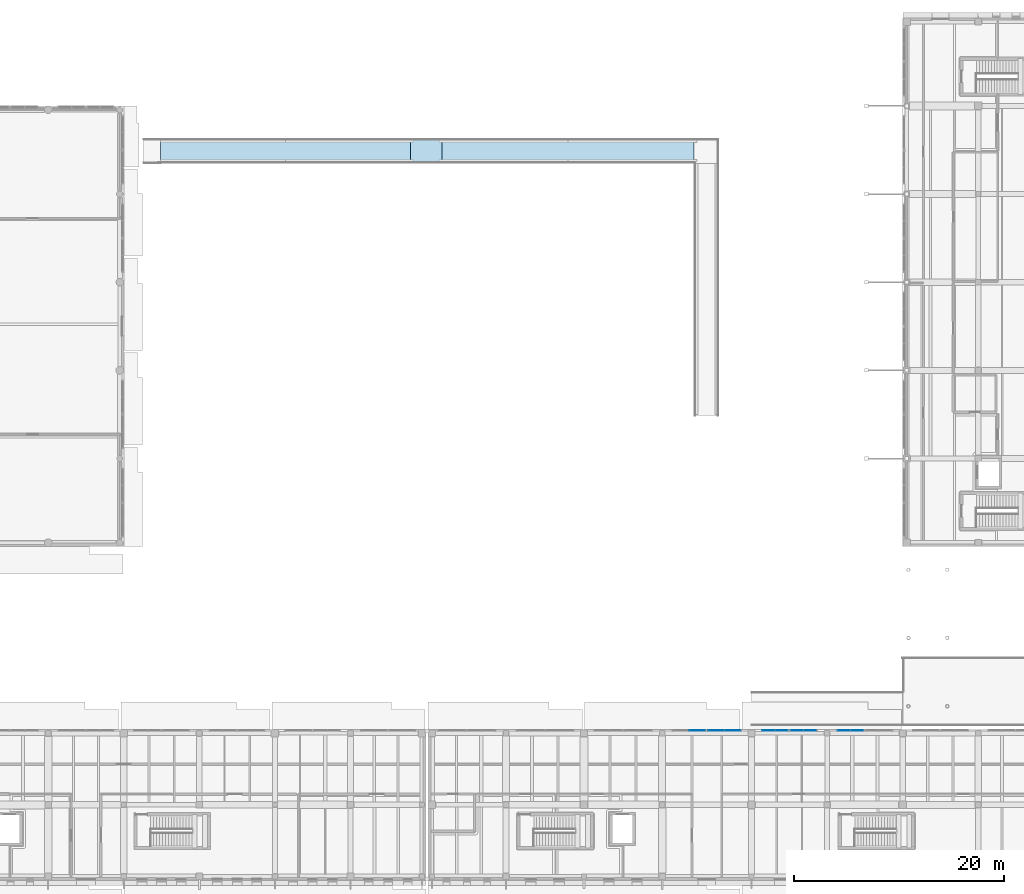
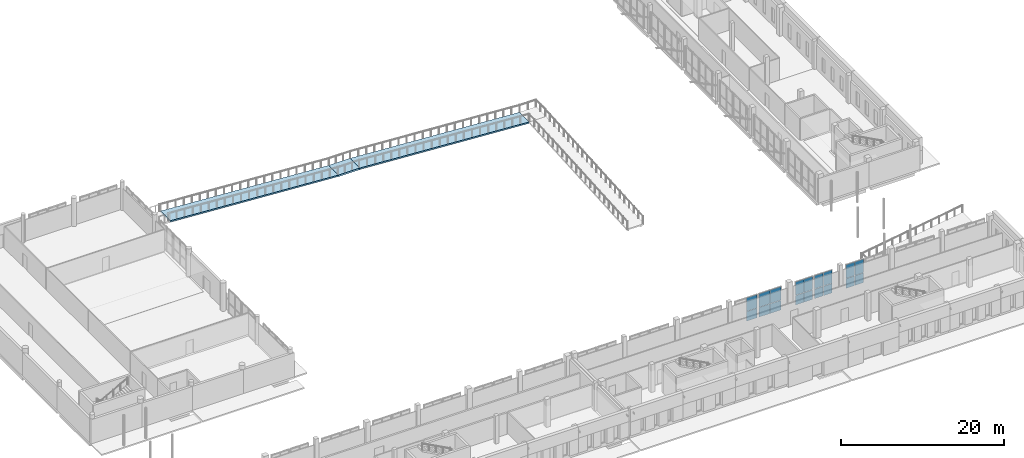
# One storey, part 44 of 77: 18 plates, 3 slabs, 5 elements without a shape of their own.
"""IFC4 building model written with IfcOpenShell, lengths in metres."""

import ifcopenshell
import ifcopenshell.guid

model = None  # the IFC model being written
_history = None  # IfcOwnerHistory: only IFC2X3 demands one
_inside = {}  # id of a spatial element -> (the spatial element, [elements in it])
_under = {}  # id of a project, library or spatial element -> (it, [spatial elements below it])
_declared = {}  # id of a project -> (the project, [libraries it declares])
_typed = {}  # id of a type object -> (the type object, [elements of that type])
_made_of = {}  # id of a material, layer set ... -> (it, [elements and type objects made of it])


def new_model(schema):
    """Start an empty IFC model of exactly this schema.

    Asked for "IFC4X3", IfcOpenShell would pick the latest addendum, in which some entities
    have other attributes; the version numbers below select the first issue.
    IFC2X3 requires an IfcOwnerHistory on every rooted entity: one is made here for all.
    """
    global model, _history
    if schema == "IFC4X3":
        model = ifcopenshell.file(schema_version=(4, 3, 0, 0))
    else:
        model = ifcopenshell.file(schema=schema)
    _inside.clear()
    _under.clear()
    _declared.clear()
    _typed.clear()
    _made_of.clear()
    _history = None
    if model.schema == "IFC2X3":
        org = make("IfcOrganization", Name="unknown")
        user = make(
            "IfcPersonAndOrganization",
            ThePerson=make("IfcPerson", FamilyName="unknown"),
            TheOrganization=org,
        )
        app = make(
            "IfcApplication",
            ApplicationDeveloper=org,
            Version="unknown",
            ApplicationFullName="unknown",
            ApplicationIdentifier="unknown",
        )
        _history = make(
            "IfcOwnerHistory",
            OwningUser=user,
            OwningApplication=app,
            ChangeAction="ADDED",
            CreationDate=0,
        )
    return model


def make(cls, **values):
    """One entity of the class cls with the attributes given. An attribute that is None is left unset."""
    return model.create_entity(
        cls, **{name: value for name, value in values.items() if value is not None}
    )


def rooted(cls, **values):
    """An entity with a GlobalId (a new one), such as an element, a storey or a relation."""
    return make(cls, GlobalId=ifcopenshell.guid.new(), OwnerHistory=_history, **values)


def si_unit(unit_type, name, prefix=None):
    """IfcSIUnit, for example si_unit("LENGTHUNIT", "METRE", prefix="MILLI")."""
    return make("IfcSIUnit", UnitType=unit_type, Prefix=prefix, Name=name)


def assignment(units):
    """IfcUnitAssignment: the units of a project."""
    return None if units is None else make("IfcUnitAssignment", Units=units)


def point(xyz):
    """IfcCartesianPoint."""
    return None if xyz is None else make("IfcCartesianPoint", Coordinates=xyz)


def direction(xyz):
    """IfcDirection."""
    return None if xyz is None else make("IfcDirection", DirectionRatios=xyz)


def frame(location, z_axis=None, x_axis=None):
    """IfcAxis2Placement3D, a coordinate frame: its origin and axes. An axis left out is left unset."""
    return make(
        "IfcAxis2Placement3D",
        Location=point(location),
        Axis=direction(z_axis),
        RefDirection=direction(x_axis),
    )


def frame_2d(location, x_axis=None):
    """IfcAxis2Placement2D, a coordinate frame in the plane: its origin and x axis."""
    return make(
        "IfcAxis2Placement2D", Location=point(location), RefDirection=direction(x_axis)
    )


def origin():
    """The frame at (0, 0, 0) with its axes left unset."""
    return frame((0.0, 0.0, 0.0))


def origin_2d():
    """The frame at (0, 0) in the plane with its x axis left unset."""
    return frame_2d((0.0, 0.0))


def place(relative_to, where):
    """IfcLocalPlacement: puts the frame where relative to a parent placement (None: the world)."""
    return make(
        "IfcLocalPlacement", PlacementRelTo=relative_to, RelativePlacement=where
    )


def context(
    kind, dimensions, precision=None, world=None, true_north=None, identifier=None
):
    """IfcGeometricRepresentationContext, for example the 3D "Model" context."""
    return make(
        "IfcGeometricRepresentationContext",
        ContextIdentifier=identifier,
        ContextType=kind,
        CoordinateSpaceDimension=dimensions,
        Precision=precision,
        WorldCoordinateSystem=world,
        TrueNorth=true_north,
    )


def subcontext(parent, identifier, kind, view, scale=None):
    """IfcGeometricRepresentationSubContext, for example "Body" below "Model"."""
    return make(
        "IfcGeometricRepresentationSubContext",
        ContextIdentifier=identifier,
        ContextType=kind,
        ParentContext=parent,
        TargetScale=scale,
        TargetView=view,
    )


def project(units=None, contexts=None):
    """IfcProject with its units and contexts."""
    return rooted(
        "IfcProject",
        Name="project",
        RepresentationContexts=contexts,
        UnitsInContext=assignment(units),
    )


def spatial(cls, under=None, at=None, **own):
    """A site, building, storey or space (cls), placed at a placement, below another one or the project."""
    s = rooted(cls, ObjectPlacement=at, **own)
    if under is not None:
        _under.setdefault(under.id(), (under, []))[1].append(s)
    return s


def polyline(points):
    """IfcPolyline through the points."""
    return make("IfcPolyline", Points=[point(p) for p in points])


def profile(cls, at=None, kind="AREA", **sizes):
    """A parametric profile (cls). Its sizes go by their IFC names, for example OverallWidth=200.0."""
    return make(cls, ProfileType=kind, Position=at, **sizes)


def rectangle(**sizes):
    """IfcRectangleProfileDef."""
    return profile("IfcRectangleProfileDef", **sizes)


def outline(outer, holes=None, kind="AREA"):
    """IfcArbitraryClosedProfileDef: a profile drawn as a closed curve; with holes, ...WithVoids."""
    if holes is None:
        return make("IfcArbitraryClosedProfileDef", ProfileType=kind, OuterCurve=outer)
    return make(
        "IfcArbitraryProfileDefWithVoids",
        ProfileType=kind,
        OuterCurve=outer,
        InnerCurves=holes,
    )


def extrude(swept, where, along, depth):
    """IfcExtrudedAreaSolid: the profile swept, set in the frame where, extruded along a direction by depth."""
    return make(
        "IfcExtrudedAreaSolid",
        SweptArea=swept,
        Position=where,
        ExtrudedDirection=direction(along),
        Depth=depth,
    )


def shape(context_of_items, identifier, shape_type, items):
    """IfcShapeRepresentation: the items that make up one representation, for example the "Body"."""
    return make(
        "IfcShapeRepresentation",
        ContextOfItems=context_of_items,
        RepresentationIdentifier=identifier,
        RepresentationType=shape_type,
        Items=items,
    )


def material(Name=None, Category=None):
    """IfcMaterial."""
    return make("IfcMaterial", Name=Name, Category=Category)


def layer(
    of_material, thickness, ventilated=None, Name=None, Category=None, Priority=None
):
    """IfcMaterialLayer: one layer of a wall or slab, of a material (None: an air gap)."""
    return make(
        "IfcMaterialLayer",
        Material=of_material,
        LayerThickness=thickness,
        IsVentilated=ventilated,
        Name=Name,
        Category=Category,
        Priority=Priority,
    )


def layer_set(layers, Name=None):
    """IfcMaterialLayerSet."""
    return make("IfcMaterialLayerSet", MaterialLayers=layers, LayerSetName=Name)


def made_of(thing, what):
    """Note that an element or type object is made of a material, layer set ...; save() writes the relation."""
    if what is not None:
        _made_of.setdefault(what.id(), (what, []))[1].append(thing)
    return thing


def type_object(cls, material=None, **own):
    """A type object (cls), such as IfcWallType, which elements share."""
    return made_of(rooted(cls, **own), material)


def element(
    cls,
    number,
    at=None,
    inside=None,
    cuts=None,
    type_object=None,
    material=None,
    context=None,
    identifier="Body",
    shape_type=None,
    held_by="IfcProductDefinitionShape",
    body=None,
    shapes=None,
    **own,
):
    """One element of the class cls, such as IfcWall. Its Tag is "e" and its number.

    at: its placement. inside: the storey or other place that contains it. cuts: it is an
    opening in that element (IfcRelVoidsElement). A single representation is given by context,
    identifier, shape_type and body (its items); several are given by shapes. held_by: the class
    of the entity that holds the representations. save() writes the other relations.
    """
    e = rooted(cls, Tag="e%d" % number, ObjectPlacement=at, **own)
    if body is not None:
        shapes = [shape(context, identifier, shape_type, body)]
    if shapes is not None:
        e.Representation = make(held_by, Representations=shapes)
    if inside is not None:
        _inside.setdefault(inside.id(), (inside, []))[1].append(e)
    if cuts is not None:
        rooted(
            "IfcRelVoidsElement", RelatingBuildingElement=cuts, RelatedOpeningElement=e
        )
    if type_object is not None:
        _typed.setdefault(type_object.id(), (type_object, []))[1].append(e)
    return made_of(e, material)


def aggregate(whole, parts):
    """IfcRelAggregates: a whole, such as a stair, and the parts it consists of."""
    return rooted("IfcRelAggregates", RelatingObject=whole, RelatedObjects=parts)


def save(model, path):
    """Write the relations noted so far, then the file.

    IfcRelAggregates (storeys below a building ...), IfcRelContainedInSpatialStructure (elements
    in a storey), IfcRelDefinesByType, IfcRelAssociatesMaterial and IfcRelDeclares: one each for
    every whole, place, type object, material and project.
    """
    for whole, parts in _under.values():
        aggregate(whole, parts)
    for where, things in _inside.values():
        rooted(
            "IfcRelContainedInSpatialStructure",
            RelatedElements=things,
            RelatingStructure=where,
        )
    for kind, things in _typed.values():
        rooted("IfcRelDefinesByType", RelatedObjects=things, RelatingType=kind)
    for what, things in _made_of.values():
        rooted("IfcRelAssociatesMaterial", RelatedObjects=things, RelatingMaterial=what)
    for by, libraries in _declared.values():
        rooted("IfcRelDeclares", RelatingContext=by, RelatedDefinitions=libraries)
    model.write(path)


model = new_model("IFC4")

# Units and contexts
model_context = context("Model", 3, precision=1e-05, world=origin(), true_north=direction((0.0, 1.0)))
body_context = subcontext(model_context, "Body", "Model", "MODEL_VIEW")
ifc_project = project(units=[si_unit("LENGTHUNIT", "METRE"), si_unit("AREAUNIT", "SQUARE_METRE"), si_unit("VOLUMEUNIT", "CUBIC_METRE"), si_unit("PLANEANGLEUNIT", "RADIAN"), si_unit("MASSUNIT", "GRAM", prefix="KILO")], contexts=[model_context])

# Site, building, storey
site_placement = place(None, origin())
site = spatial("IfcSite", under=ifc_project, at=site_placement, CompositionType="ELEMENT")
building_placement = place(site_placement, origin())
building = spatial("IfcBuilding", under=site, at=building_placement, Name="Vardoun Plaza Health Centre", CompositionType="ELEMENT")
storey_placement = place(building_placement, origin())
storey = spatial("IfcBuildingStorey", under=building, at=storey_placement, Name="L00", CompositionType="ELEMENT", Elevation=0.0)

# Curtain wall, plates
ifc_material_1 = material(Name="Aluminium Alloy EN AW-6063-T6 and Low-E Glass", Category="aluminium")
ifc_layer_1 = layer(ifc_material_1, 0.14990234375)
ifc_layer_set_1 = layer_set([ifc_layer_1], Name="Aluminium Alloy EN AW-6063-T6 and Low-E Glass")
curtain_wall_type = type_object("IfcCurtainWallType", Name="CW-03", PredefinedType="NOTDEFINED", material=ifc_layer_set_1)
curtain_wall_1_placement = place(storey_placement, origin())
curtain_wall_1 = element("IfcCurtainWall", 1, at=curtain_wall_1_placement, inside=storey, type_object=curtain_wall_type, Name="Curtain Wall CW-V5-139", PredefinedType="NOTDEFINED")
ifc_material_2 = material(Name="Solar-Control Double Low-E Glazing", Category="glass")
ifc_layer_2 = layer(ifc_material_2, 0.028076171875)
ifc_layer_set_2 = layer_set([ifc_layer_2], Name="Solar-Control Double Low-E Glazing")
plate_type = type_object("IfcPlateType", Name="CW-P1", PredefinedType="CURTAIN_PANEL", material=ifc_layer_set_2)
plate_1_placement = place(storey_placement, frame((131.340087890625, 18.780029296875, 0.06005859375), z_axis=(0.0, 0.0, 1.0), x_axis=(1.0, 0.0, 0.0)))
plate_1 = element("IfcPlate", 2, at=plate_1_placement, type_object=plate_type, Name="CW-V5-139 panel 2.1", PredefinedType="CURTAIN_PANEL", context=body_context, shape_type="SweptSolid", body=[
    extrude(rectangle(XDim=1.52001953125, YDim=0.028076171875, at=origin_2d()), origin(), (0.0, 0.0, 1.0), 1.42626953125),
])
plate_2_placement = place(storey_placement, frame((131.340087890625, 18.780029296875, 1.546142578125), z_axis=(0.0, 0.0, 1.0), x_axis=(1.0, 0.0, 0.0)))
plate_2 = element("IfcPlate", 3, at=plate_2_placement, type_object=plate_type, Name="CW-V5-139 panel 2.2", PredefinedType="CURTAIN_PANEL", context=body_context, shape_type="SweptSolid", body=[
    extrude(rectangle(XDim=1.52001953125, YDim=0.028076171875, at=origin_2d()), origin(), (0.0, 0.0, 1.0), 2.00390625),
])
aggregate(curtain_wall_1, [plate_1, plate_2])

curtain_wall_2_placement = place(storey_placement, origin())
curtain_wall_2 = element("IfcCurtainWall", 4, at=curtain_wall_2_placement, inside=storey, type_object=curtain_wall_type, Name="Curtain Wall CW-V5-140", PredefinedType="NOTDEFINED")
plate_3_placement = place(storey_placement, frame((133.139892578125, 18.780029296875, 0.06005859375), z_axis=(0.0, 0.0, 1.0), x_axis=(1.0, 0.0, 0.0)))
plate_3 = element("IfcPlate", 5, at=plate_3_placement, type_object=plate_type, Name="CW-V5-140 panel 1.1", PredefinedType="CURTAIN_PANEL", context=body_context, shape_type="SweptSolid", body=[
    extrude(rectangle(XDim=1.52001953125, YDim=0.028076171875, at=origin_2d()), origin(), (0.0, 0.0, 1.0), 1.42626953125),
])
plate_4_placement = place(storey_placement, frame((133.139892578125, 18.780029296875, 1.546142578125), z_axis=(0.0, 0.0, 1.0), x_axis=(1.0, 0.0, 0.0)))
plate_4 = element("IfcPlate", 6, at=plate_4_placement, type_object=plate_type, Name="CW-V5-140 panel 1.2", PredefinedType="CURTAIN_PANEL", context=body_context, shape_type="SweptSolid", body=[
    extrude(rectangle(XDim=1.52001953125, YDim=0.028076171875, at=origin_2d()), origin(), (0.0, 0.0, 1.0), 2.00390625),
])
plate_5_placement = place(storey_placement, frame((134.719970703125, 18.780029296875, 0.06005859375), z_axis=(0.0, 0.0, 1.0), x_axis=(1.0, 0.0, 0.0)))
plate_5 = element("IfcPlate", 7, at=plate_5_placement, type_object=plate_type, Name="CW-V5-140 panel 2.1", PredefinedType="CURTAIN_PANEL", context=body_context, shape_type="SweptSolid", body=[
    extrude(rectangle(XDim=1.52001953125, YDim=0.028076171875, at=origin_2d()), origin(), (0.0, 0.0, 1.0), 1.42626953125),
])
plate_6_placement = place(storey_placement, frame((134.719970703125, 18.780029296875, 1.546142578125), z_axis=(0.0, 0.0, 1.0), x_axis=(1.0, 0.0, 0.0)))
plate_6 = element("IfcPlate", 8, at=plate_6_placement, type_object=plate_type, Name="CW-V5-140 panel 2.2", PredefinedType="CURTAIN_PANEL", context=body_context, shape_type="SweptSolid", body=[
    extrude(rectangle(XDim=1.52001953125, YDim=0.028076171875, at=origin_2d()), origin(), (0.0, 0.0, 1.0), 2.00390625),
])
aggregate(curtain_wall_2, [plate_3, plate_4, plate_5, plate_6])

curtain_wall_3_placement = place(storey_placement, origin())
curtain_wall_3 = element("IfcCurtainWall", 9, at=curtain_wall_3_placement, inside=storey, type_object=curtain_wall_type, Name="Curtain Wall CW-V5-141", PredefinedType="NOTDEFINED")
plate_7_placement = place(storey_placement, frame((138.114990234375, 18.780029296875, 0.06005859375), z_axis=(0.0, 0.0, 1.0), x_axis=(1.0, 0.0, 0.0)))
plate_7 = element("IfcPlate", 10, at=plate_7_placement, type_object=plate_type, Name="CW-V5-141 panel 1.1", PredefinedType="CURTAIN_PANEL", context=body_context, shape_type="SweptSolid", body=[
    extrude(rectangle(XDim=1.18994140625, YDim=0.028076171875, at=origin_2d()), origin(), (0.0, 0.0, 1.0), 1.409423828125),
])
plate_8_placement = place(storey_placement, frame((138.114990234375, 18.780029296875, 1.529296875), z_axis=(0.0, 0.0, 1.0), x_axis=(1.0, 0.0, 0.0)))
plate_8 = element("IfcPlate", 11, at=plate_8_placement, type_object=plate_type, Name="CW-V5-141 panel 1.2", PredefinedType="CURTAIN_PANEL", context=body_context, shape_type="SweptSolid", body=[
    extrude(rectangle(XDim=1.18994140625, YDim=0.028076171875, at=origin_2d()), origin(), (0.0, 0.0, 1.0), 1.980712890625),
])
plate_9_placement = place(storey_placement, frame((139.364990234375, 18.780029296875, 0.06005859375), z_axis=(0.0, 0.0, 1.0), x_axis=(1.0, 0.0, 0.0)))
plate_9 = element("IfcPlate", 12, at=plate_9_placement, type_object=plate_type, Name="CW-V5-141 panel 2.1", PredefinedType="CURTAIN_PANEL", context=body_context, shape_type="SweptSolid", body=[
    extrude(rectangle(XDim=1.18994140625, YDim=0.028076171875, at=origin_2d()), origin(), (0.0, 0.0, 1.0), 1.409423828125),
])
plate_10_placement = place(storey_placement, frame((139.364990234375, 18.780029296875, 1.529296875), z_axis=(0.0, 0.0, 1.0), x_axis=(1.0, 0.0, 0.0)))
plate_10 = element("IfcPlate", 13, at=plate_10_placement, type_object=plate_type, Name="CW-V5-141 panel 2.2", PredefinedType="CURTAIN_PANEL", context=body_context, shape_type="SweptSolid", body=[
    extrude(rectangle(XDim=1.18994140625, YDim=0.028076171875, at=origin_2d()), origin(), (0.0, 0.0, 1.0), 1.980712890625),
])
aggregate(curtain_wall_3, [plate_7, plate_8, plate_9, plate_10])

curtain_wall_4_placement = place(storey_placement, origin())
curtain_wall_4 = element("IfcCurtainWall", 14, at=curtain_wall_4_placement, inside=storey, type_object=curtain_wall_type, Name="Curtain Wall CW-V5-142", PredefinedType="NOTDEFINED")
plate_11_placement = place(storey_placement, frame((140.8349609375, 18.780029296875, 0.06005859375), z_axis=(0.0, 0.0, 1.0), x_axis=(1.0, 0.0, 0.0)))
plate_11 = element("IfcPlate", 15, at=plate_11_placement, type_object=plate_type, Name="CW-V5-142 panel 1.1", PredefinedType="CURTAIN_PANEL", context=body_context, shape_type="SweptSolid", body=[
    extrude(rectangle(XDim=1.18994140625, YDim=0.028076171875, at=origin_2d()), origin(), (0.0, 0.0, 1.0), 1.409423828125),
])
plate_12_placement = place(storey_placement, frame((140.8349609375, 18.780029296875, 1.529296875), z_axis=(0.0, 0.0, 1.0), x_axis=(1.0, 0.0, 0.0)))
plate_12 = element("IfcPlate", 16, at=plate_12_placement, type_object=plate_type, Name="CW-V5-142 panel 1.2", PredefinedType="CURTAIN_PANEL", context=body_context, shape_type="SweptSolid", body=[
    extrude(rectangle(XDim=1.18994140625, YDim=0.028076171875, at=origin_2d()), origin(), (0.0, 0.0, 1.0), 1.980712890625),
])
plate_13_placement = place(storey_placement, frame((142.0849609375, 18.780029296875, 0.06005859375), z_axis=(0.0, 0.0, 1.0), x_axis=(1.0, 0.0, 0.0)))
plate_13 = element("IfcPlate", 17, at=plate_13_placement, type_object=plate_type, Name="CW-V5-142 panel 2.1", PredefinedType="CURTAIN_PANEL", context=body_context, shape_type="SweptSolid", body=[
    extrude(rectangle(XDim=1.18994140625, YDim=0.028076171875, at=origin_2d()), origin(), (0.0, 0.0, 1.0), 1.409423828125),
])
plate_14_placement = place(storey_placement, frame((142.0849609375, 18.780029296875, 1.529296875), z_axis=(0.0, 0.0, 1.0), x_axis=(1.0, 0.0, 0.0)))
plate_14 = element("IfcPlate", 18, at=plate_14_placement, type_object=plate_type, Name="CW-V5-142 panel 2.2", PredefinedType="CURTAIN_PANEL", context=body_context, shape_type="SweptSolid", body=[
    extrude(rectangle(XDim=1.18994140625, YDim=0.028076171875, at=origin_2d()), origin(), (0.0, 0.0, 1.0), 1.980712890625),
])
aggregate(curtain_wall_4, [plate_11, plate_12, plate_13, plate_14])

curtain_wall_5_placement = place(storey_placement, origin())
curtain_wall_5 = element("IfcCurtainWall", 19, at=curtain_wall_5_placement, inside=storey, type_object=curtain_wall_type, Name="Curtain Wall CW-V5-143", PredefinedType="NOTDEFINED")
plate_15_placement = place(storey_placement, frame((145.31494140625, 18.780029296875, 0.06005859375), z_axis=(0.0, 0.0, 1.0), x_axis=(1.0, 0.0, 0.0)))
plate_15 = element("IfcPlate", 20, at=plate_15_placement, type_object=plate_type, Name="CW-V5-143 panel 1.1", PredefinedType="CURTAIN_PANEL", context=body_context, shape_type="SweptSolid", body=[
    extrude(rectangle(XDim=1.18994140625, YDim=0.028076171875, at=origin_2d()), origin(), (0.0, 0.0, 1.0), 1.438720703125),
])
plate_16_placement = place(storey_placement, frame((145.31494140625, 18.780029296875, 1.55859375), z_axis=(0.0, 0.0, 1.0), x_axis=(1.0, 0.0, 0.0)))
plate_16 = element("IfcPlate", 21, at=plate_16_placement, type_object=plate_type, Name="CW-V5-143 panel 1.2", PredefinedType="CURTAIN_PANEL", context=body_context, shape_type="SweptSolid", body=[
    extrude(rectangle(XDim=1.18994140625, YDim=0.028076171875, at=origin_2d()), origin(), (0.0, 0.0, 1.0), 2.021240234375),
])
plate_17_placement = place(storey_placement, frame((146.56494140625, 18.780029296875, 0.06005859375), z_axis=(0.0, 0.0, 1.0), x_axis=(1.0, 0.0, 0.0)))
plate_17 = element("IfcPlate", 22, at=plate_17_placement, type_object=plate_type, Name="CW-V5-143 panel 2.1", PredefinedType="CURTAIN_PANEL", context=body_context, shape_type="SweptSolid", body=[
    extrude(rectangle(XDim=1.18994140625, YDim=0.028076171875, at=origin_2d()), origin(), (0.0, 0.0, 1.0), 1.438720703125),
])
plate_18_placement = place(storey_placement, frame((146.56494140625, 18.780029296875, 1.55859375), z_axis=(0.0, 0.0, 1.0), x_axis=(1.0, 0.0, 0.0)))
plate_18 = element("IfcPlate", 23, at=plate_18_placement, type_object=plate_type, Name="CW-V5-143 panel 2.2", PredefinedType="CURTAIN_PANEL", context=body_context, shape_type="SweptSolid", body=[
    extrude(rectangle(XDim=1.18994140625, YDim=0.028076171875, at=origin_2d()), origin(), (0.0, 0.0, 1.0), 2.021240234375),
])
aggregate(curtain_wall_5, [plate_15, plate_16, plate_17, plate_18])

# Slabs
ifc_material_3 = material(Name="Pale Limestone Concrete C35/45", Category="masonry")
ifc_layer_3 = layer(ifc_material_3, 0.2099609375)
ifc_layer_set_3 = layer_set([ifc_layer_3], Name="Pale Limestone Concrete C35/45")
slab_type_1 = type_object("IfcSlabType", Name="SL-R2", PredefinedType="USERDEFINED", material=ifc_layer_set_3)
slab_1_placement = place(storey_placement, frame((80.199951171875, 72.800048828125, 0.0), z_axis=(0.062900279579, 0.0, 0.998019816852), x_axis=(0.998019816852, 0.0, -0.062900279579)))
element("IfcSlab", 24, at=slab_1_placement, inside=storey, type_object=slab_type_1, Name="Forecourt Accessible Ramp AR-01", ObjectType="ACCESSIBLE_RAMP", PredefinedType="USERDEFINED", context=body_context, shape_type="SweptSolid", body=[
    extrude(outline(polyline([(0.0, 0.0), (23.84727079187751, 0.0), (23.84727079187751, 2.39990234375), (0.0, 2.39990234375), (0.0, 0.0)])), origin(), (0.0, 0.0, -1.0), 0.2099609375),
])
slab_2_placement = place(storey_placement, frame((107.0, 72.800048828125, -1.5), z_axis=(0.062378286155, 0.0, 0.998052578483), x_axis=(0.998052578483, 0.0, -0.062378286155)))
element("IfcSlab", 25, at=slab_2_placement, inside=storey, type_object=slab_type_1, Name="Forecourt Accessible Ramp AR-02", ObjectType="ACCESSIBLE_RAMP", PredefinedType="USERDEFINED", context=body_context, shape_type="SweptSolid", body=[
    extrude(outline(polyline([(0.0, 0.0), (24.046829312822098, 0.0), (24.046829312822098, 2.39990234375), (0.0, 2.39990234375), (0.0, 0.0)])), origin(), (0.0, 0.0, -1.0), 0.2099609375),
])
ifc_material_4 = material(Name="Concrete C35/45", Category="concrete")
ifc_layer_4 = layer(ifc_material_4, 0.25)
ifc_layer_set_4 = layer_set([ifc_layer_4], Name="Concrete C35/45")
slab_type_2 = type_object("IfcSlabType", Name="SL-01", PredefinedType="FLOOR", material=ifc_layer_set_4)
slab_3_placement = place(storey_placement, frame((0.0, 0.0, -1.75)))
element("IfcSlab", 26, at=slab_3_placement, inside=storey, type_object=slab_type_2, Name="Forecourt Ramp Landing 2", PredefinedType="FLOOR", context=body_context, shape_type="SweptSolid", body=[
    extrude(outline(polyline([(104.0, 72.800048828125), (107.0, 72.800048828125), (107.0, 75.199951171875), (104.0, 75.199951171875), (104.0, 72.800048828125)])), origin(), (0.0, 0.0, 1.0), 0.25),
])

save(model, "model.ifc")
